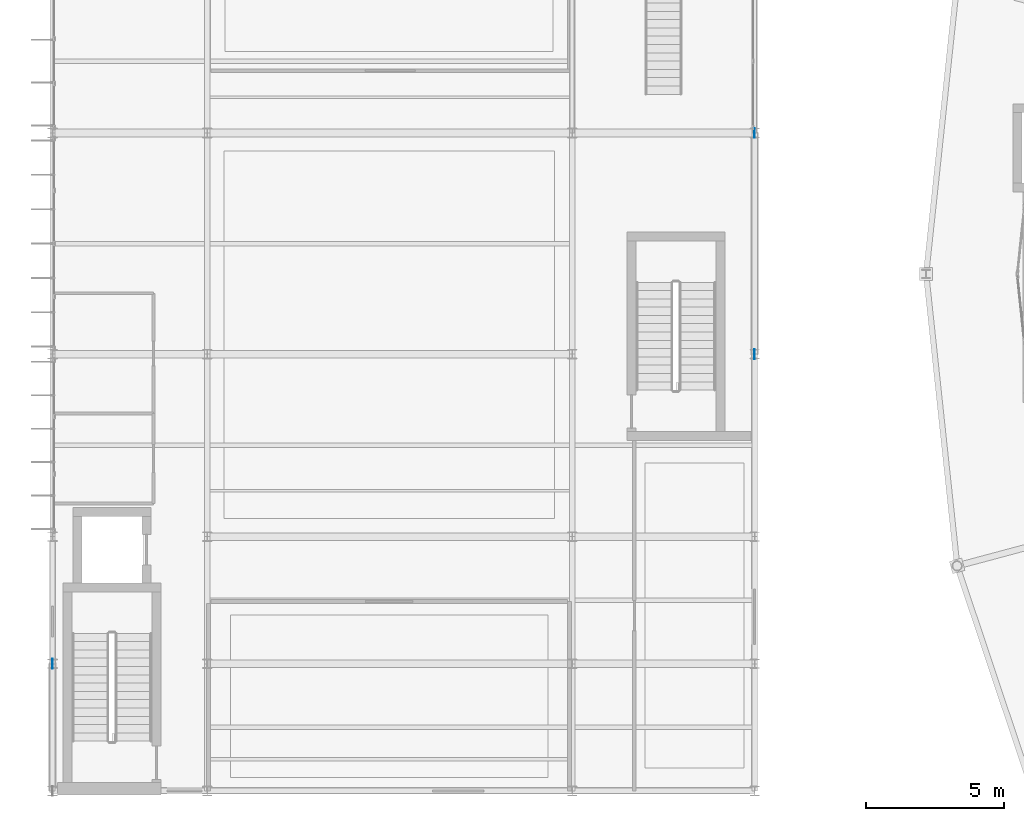
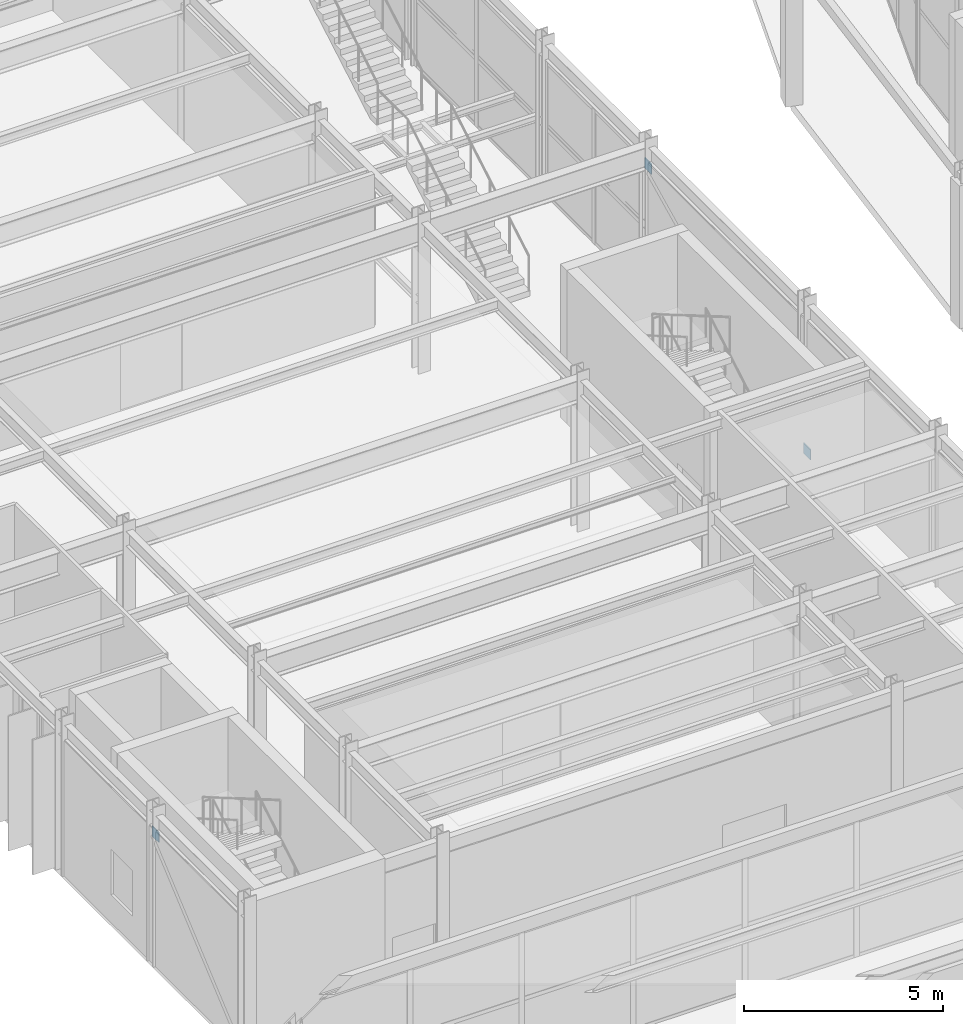
# One storey, part 109 of 144: 3 plates.
"""IFC4 building model written with IfcOpenShell, lengths in metres."""

from ifc_helpers import new_model, si_unit, direction, frame, origin, origin_2d, place, context, subcontext, project, spatial, rectangle, extrude, material, layer, layer_set, type_object, element, save


model = new_model("IFC4")

# Units and contexts
model_context = context("Model", 3, precision=1e-05, world=origin(), true_north=direction((0.0, 1.0)))
body_context = subcontext(model_context, "Body", "Model", "MODEL_VIEW")
ifc_project = project(units=[si_unit("LENGTHUNIT", "METRE"), si_unit("AREAUNIT", "SQUARE_METRE"), si_unit("VOLUMEUNIT", "CUBIC_METRE"), si_unit("PLANEANGLEUNIT", "RADIAN"), si_unit("MASSUNIT", "GRAM", prefix="KILO")], contexts=[model_context])

# Site, building, storey
site_placement = place(None, origin())
site = spatial("IfcSite", under=ifc_project, at=site_placement, CompositionType="ELEMENT")
building_placement = place(site_placement, origin())
building = spatial("IfcBuilding", under=site, at=building_placement, Name="Karori Crest Natural Sciences Institute", CompositionType="ELEMENT")
storey_placement = place(building_placement, origin())
storey = spatial("IfcBuildingStorey", under=building, at=storey_placement, Name="L00", CompositionType="ELEMENT", Elevation=0.0)

# Plates
ifc_material = material(Name="Structural steel AS/NZS 3679.1 Grade 350", Category="steel")
ifc_layer = layer(ifc_material, 0.02490234375, Name="Structural steel AS/NZS 3679.1 Grade 350")
ifc_layer_set = layer_set([ifc_layer], Name="Structural steel AS/NZS 3679.1 Grade 350")
plate_type = type_object("IfcPlateType", Name="PLT-06-EL", PredefinedType="SHEET", material=ifc_layer_set)
for number, where, z_axis, x_axis, name in (
    (1, (1.800048828125, 35.800048828125, 3.7734375), (0.0, 0.0, 1.0), (0.0, 1.0, 0.0), "Brace gusset plate EP-0242"),
    (2, (27.199951171875, 47.0, -0.146484375), (0.0, 0.0, 1.0), (0.0, 1.0, 0.0), "Brace gusset plate EP-0243"),
    (3, (27.199951171875, 55.0, 3.7734375), (0.0, 0.0, 1.0), (0.0, 1.0, 0.0), "Brace gusset plate EP-0244"),
):
    element("IfcPlate", number, at=place(storey_placement, frame(where, z_axis=z_axis, x_axis=x_axis)), inside=storey, type_object=plate_type, Name=name, PredefinedType="SHEET", context=body_context, shape_type="SweptSolid", body=[
        extrude(rectangle(XDim=0.35302734375, YDim=0.02490234375, at=origin_2d()), origin(), (0.0, 0.0, 1.0), 0.31298828125),
    ])

save(model, "model.ifc")
